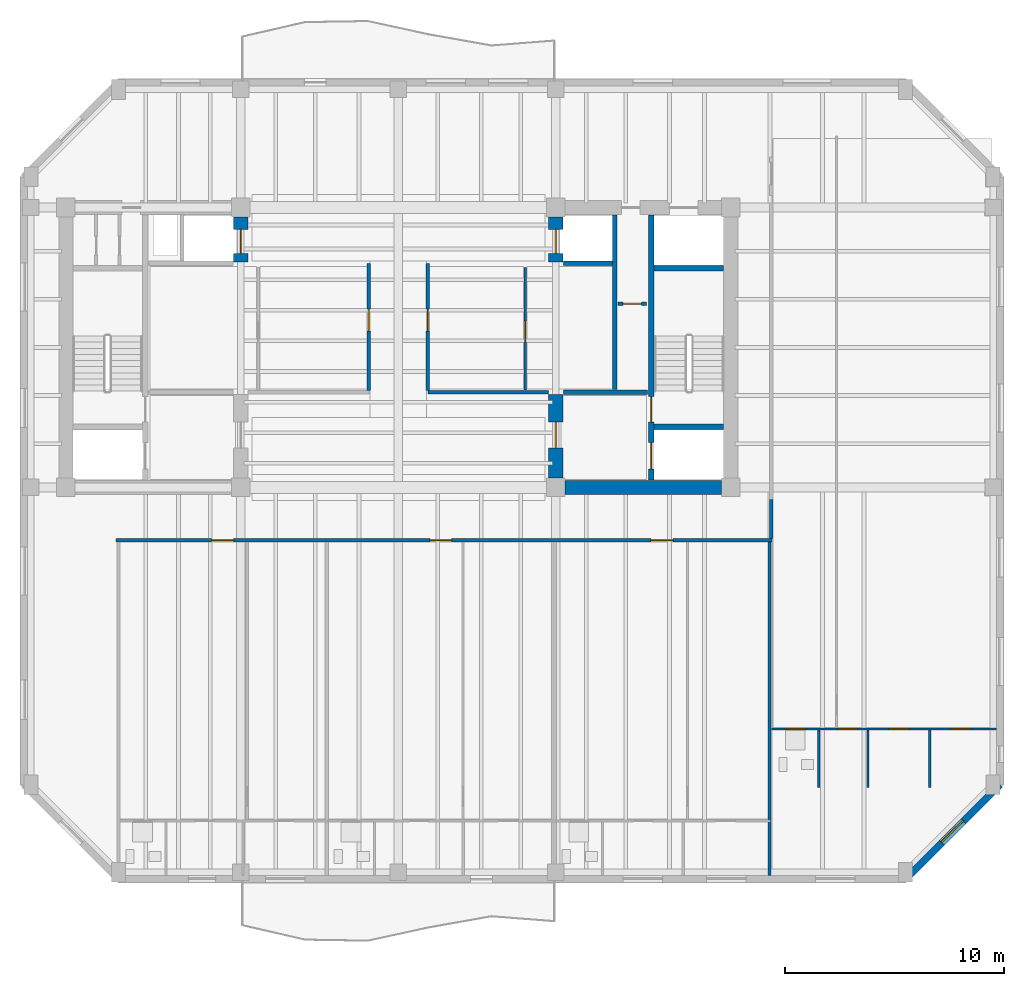
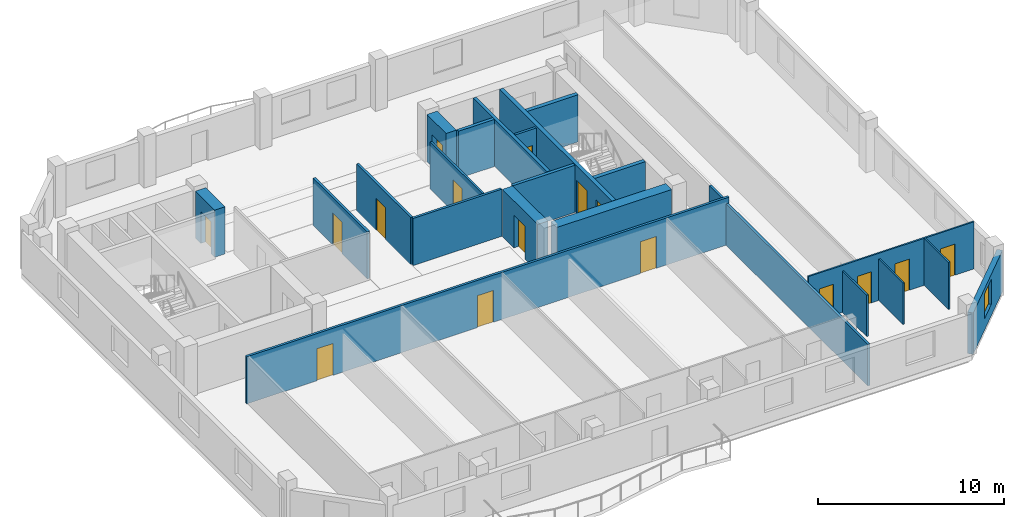
# One storey, part 4 of 9: 23 walls, 16 doors, 1 window, 17 openings.
"""IFC4 building model written with IfcOpenShell, lengths in metres."""

from ifc_helpers import new_model, si_unit, direction, frame, frame_2d, origin, place, context, subcontext, project, spatial, rectangle, extrude, material, layer, layer_set, type_object, element, fill, save


model = new_model("IFC4")

# Units and contexts
model_context = context("Model", 3, precision=1e-05, world=origin(), true_north=direction((0.0, 1.0)))
body_context = subcontext(model_context, "Body", "Model", "MODEL_VIEW")
ifc_project = project(units=[si_unit("LENGTHUNIT", "METRE"), si_unit("AREAUNIT", "SQUARE_METRE"), si_unit("VOLUMEUNIT", "CUBIC_METRE"), si_unit("PLANEANGLEUNIT", "RADIAN"), si_unit("MASSUNIT", "GRAM", prefix="KILO")], contexts=[model_context])

# Site, building, storey
site_placement = place(None, origin())
site = spatial("IfcSite", under=ifc_project, at=site_placement, CompositionType="ELEMENT")
building_placement = place(site_placement, origin())
building = spatial("IfcBuilding", under=site, at=building_placement, Name="Kranthara Brick Stack", CompositionType="ELEMENT")
storey_placement = place(building_placement, frame((0.0, 0.0, 231.300048828125)))
storey = spatial("IfcBuildingStorey", under=building, at=storey_placement, Name="L60", CompositionType="ELEMENT", Elevation=231.300048828125)

# Wall, opening, window
ifc_material_1 = material(Name="Warm buff clay brick masonry M15", Category="masonry")
ifc_layer_1 = layer(ifc_material_1, 0.320068359375)
ifc_layer_set_1 = layer_set([ifc_layer_1], Name="Warm buff clay brick masonry M15")
wall_type_1 = type_object("IfcWallType", Name="WL-BRK-UPPR-320", PredefinedType="STANDARD", material=ifc_layer_set_1)
wall_1_placement = place(storey_placement, frame((55.52001953125, 7.199951171875, 0.0), z_axis=(0.0, 0.0, 1.0), x_axis=(-0.707106781187, -0.707106781187, 0.0)))
wall_1 = element("IfcWall", 1, at=wall_1_placement, inside=storey, type_object=wall_type_1, Name="L60 Exterior Brick Facade Wall SE 1", PredefinedType="STANDARD", context=body_context, shape_type="SweptSolid", body=[
    extrude(rectangle(XDim=6.109619140625, YDim=0.320068359375, at=frame_2d((3.0546875, 0.0))), origin(), (0.0, 0.0, 1.0), 2.724853515625),
])
opening_1_placement = place(wall_1_placement, frame((2.35498046875, 0.0, 0.75)))
opening_1 = element("IfcOpeningElement", 2, at=opening_1_placement, cuts=wall_1, Name="Opening WN10", PredefinedType="OPENING", context=body_context, shape_type="SweptSolid", body=[
    extrude(rectangle(XDim=1.39990234375, YDim=1.64990234375, at=frame_2d((0.699951171875, 0.824951171875))), frame((0.0, 0.169921875, 0.0), z_axis=(0.0, -1.0, 0.0), x_axis=(1.0, 0.0, 0.0)), (0.0, 0.0, 1.0), 0.340087890625),
])
ifc_material_2 = material(Name="Double-glazed low-E solar control glass", Category="glass")
window_type = type_object("IfcWindowType", Name="WN-CHM-1400x1750", PartitioningType="SINGLE_PANEL", PredefinedType="WINDOW", material=ifc_material_2)
window_placement = place(opening_1_placement, origin())
window = element("IfcWindow", 3, at=window_placement, inside=storey, type_object=window_type, Name="L60 SE Chamfer Corner Window", OverallHeight=1.64990234375, OverallWidth=1.39990234375, PartitioningType="SINGLE_PANEL", PredefinedType="WINDOW", context=body_context, shape_type="SweptSolid", body=[
    extrude(rectangle(XDim=1.39990234375, YDim=1.64990234375, at=frame_2d((0.699951171875, 0.824951171875))), frame((0.0, -0.010009765625, 0.0), z_axis=(0.0, -1.0, 0.0), x_axis=(1.0, 0.0, 0.0)), (0.0, 0.0, 1.0), 0.06005859375),
])
fill(opening_1, window)

# Wall, openings, doors
ifc_material_3 = material(Name="Concrete C50/60", Category="concrete")
ifc_layer_2 = layer(ifc_material_3, 0.25)
ifc_layer_set_2 = layer_set([ifc_layer_2], Name="Concrete C50/60")
wall_type_2 = type_object("IfcWallType", Name="WL-CORE-250", PredefinedType="SHEAR", material=ifc_layer_set_2)
wall_2_placement = place(storey_placement, frame((39.56494140625, 21.135009765625, 0.0), z_axis=(0.0, 0.0, 1.0), x_axis=(0.0, 1.0, 0.0)))
wall_2 = element("IfcWall", 4, at=wall_2_placement, inside=storey, type_object=wall_type_2, Name="L60 East Core Stair Bearing Spine Wall", PredefinedType="SHEAR", context=body_context, shape_type="SweptSolid", body=[
    extrude(rectangle(XDim=12.1298828125, YDim=0.25, at=frame_2d((6.06494140625, 0.0))), origin(), (0.0, 0.0, 1.0), 3.099853515625),
])
opening_2_placement = place(wall_2_placement, frame((0.514892578125, 0.0, 0.0)))
opening_2 = element("IfcOpeningElement", 5, at=opening_2_placement, cuts=wall_2, Name="Opening LD01", PredefinedType="OPENING", context=body_context, shape_type="SweptSolid", body=[
    extrude(rectangle(XDim=1.199951171875, YDim=2.14990234375, at=frame_2d((0.60009765625, 1.074951171875))), frame((0.0, 0.135009765625, 0.0), z_axis=(0.0, -1.0, 0.0), x_axis=(1.0, 0.0, 0.0)), (0.0, 0.0, 1.0), 0.27001953125),
])
opening_3_placement = place(wall_2_placement, frame((2.6650390625, 0.0, 0.0)))
opening_3 = element("IfcOpeningElement", 6, at=opening_3_placement, cuts=wall_2, Name="Opening D05", PredefinedType="OPENING", context=body_context, shape_type="SweptSolid", body=[
    extrude(rectangle(XDim=1.14990234375, YDim=2.14990234375, at=frame_2d((0.574951171875, 1.074951171875))), frame((0.0, 0.135009765625, 0.0), z_axis=(0.0, -1.0, 0.0), x_axis=(1.0, 0.0, 0.0)), (0.0, 0.0, 1.0), 0.27001953125),
])
ifc_material_4 = material(Name="Stainless steel sliding landing door", Category="steel")
door_type_1 = type_object("IfcDoorType", Name="DR-LD-FF1200", OperationType="DOUBLE_DOOR_SLIDING", PredefinedType="DOOR", material=ifc_material_4)
door_1_placement = place(opening_2_placement, origin())
door_1 = element("IfcDoor", 7, at=door_1_placement, inside=storey, type_object=door_type_1, Name="L60 Firefighting Lift FF-02 Landing Door", OperationType="DOUBLE_DOOR_SLIDING", OverallHeight=2.14990234375, OverallWidth=1.199951171875, PredefinedType="DOOR", context=body_context, shape_type="SweptSolid", body=[
    extrude(rectangle(XDim=1.199951171875, YDim=2.14990234375, at=frame_2d((0.60009765625, 1.074951171875))), frame((0.0, 0.02490234375, 0.0), z_axis=(0.0, -1.0, 0.0), x_axis=(1.0, 0.0, 0.0)), (0.0, 0.0, 1.0), 0.050048828125),
])
fill(opening_2, door_1)
ifc_material_5 = material(Name="Solid-core hardwood timber leaf in steel frame", Category="steel")
door_type_2 = type_object("IfcDoorType", Name="DR-ST-1150", OperationType="NOTDEFINED", PredefinedType="DOOR", material=ifc_material_5)
door_2_placement = place(opening_3_placement, origin())
door_2 = element("IfcDoor", 8, at=door_2_placement, inside=storey, type_object=door_type_2, Name="L60 Exit Stair ST02 Door", OperationType="SINGLE_SWING_LEFT", OverallHeight=2.14990234375, OverallWidth=1.14990234375, PredefinedType="DOOR", context=body_context, shape_type="SweptSolid", body=[
    extrude(rectangle(XDim=1.14990234375, YDim=2.14990234375, at=frame_2d((0.574951171875, 1.074951171875))), frame((0.0, 0.02490234375, 0.0), z_axis=(0.0, -1.0, 0.0), x_axis=(1.0, 0.0, 0.0)), (0.0, 0.0, 1.0), 0.050048828125),
])
fill(opening_3, door_2)

# Walls
for number, where, z_axis, x_axis, name in (
    (9, (39.68994140625, 23.570068359375, 0.0), (0.0, 0.0, 1.0), (1.0, 0.0, 0.0), "L60 East Stairwell Bearing Wall EFF"),
    (10, (39.68994140625, 30.830078125, 0.0), (0.0, 0.0, 1.0), (1.0, 0.0, 0.0), "L60 East Stairwell Bearing Wall EST"),
):
    element("IfcWall", number, at=place(storey_placement, frame(where, z_axis=z_axis, x_axis=x_axis)), inside=storey, type_object=wall_type_2, Name=name, PredefinedType="SHEAR", context=body_context, shape_type="SweptSolid", body=[
        extrude(rectangle(XDim=3.175048828125, YDim=0.25, at=frame_2d((1.58740234375, 0.0))), origin(), (0.0, 0.0, 1.0), 3.099853515625),
    ])

# Wall, opening, door
ifc_material_6 = material(Name="Concrete C60/75", Category="concrete")
ifc_layer_3 = layer(ifc_material_6, 0.64990234375)
ifc_layer_set_3 = layer_set([ifc_layer_3], Name="Concrete C60/75")
wall_type_3 = type_object("IfcWallType", Name="WL-CORE-650", PredefinedType="SHEAR", material=ifc_layer_set_3)
wall_3_placement = place(storey_placement, frame((20.800048828125, 31.10009765625, 0.0), z_axis=(0.0, 0.0, 1.0), x_axis=(0.0, 1.0, 0.0)))
wall_3 = element("IfcWall", 11, at=wall_3_placement, inside=storey, type_object=wall_type_3, Name="L60 West Core High-Rise Lift Wall", PredefinedType="SHEAR", context=body_context, shape_type="SweptSolid", body=[
    extrude(rectangle(XDim=2.06982421875, YDim=0.64990234375, at=frame_2d((1.034912109375, 0.0))), origin(), (0.0, 0.0, 1.0), 3.099853515625),
])
opening_4_placement = place(wall_3_placement, frame((0.39990234375, 0.0, 0.0)))
opening_4 = element("IfcOpeningElement", 12, at=opening_4_placement, cuts=wall_3, Name="Opening LD02", PredefinedType="OPENING", context=body_context, shape_type="SweptSolid", body=[
    extrude(rectangle(XDim=1.10009765625, YDim=2.10009765625, at=frame_2d((0.550048828125, 1.050048828125))), frame((0.0, 0.3349609375, 0.0), z_axis=(0.0, -1.0, 0.0), x_axis=(1.0, 0.0, 0.0)), (0.0, 0.0, 1.0), 0.669921875),
])
ifc_material_7 = material(Name="Stainless steel sliding landing door", Category="steel")
door_type_3 = type_object("IfcDoorType", Name="DR-LD-PL1100", OperationType="DOUBLE_DOOR_SLIDING", PredefinedType="DOOR", material=ifc_material_7)
door_3_placement = place(opening_4_placement, origin())
door_3 = element("IfcDoor", 13, at=door_3_placement, inside=storey, type_object=door_type_3, Name="L60 PL-07 Lift Landing Door", OperationType="DOUBLE_DOOR_SLIDING", OverallHeight=2.10009765625, OverallWidth=1.10009765625, PredefinedType="DOOR", context=body_context, shape_type="SweptSolid", body=[
    extrude(rectangle(XDim=1.10009765625, YDim=2.10009765625, at=frame_2d((0.550048828125, 1.050048828125))), frame((0.0, 0.02490234375, 0.0), z_axis=(0.0, -1.0, 0.0), x_axis=(1.0, 0.0, 0.0)), (0.0, 0.0, 1.0), 0.050048828125),
])
fill(opening_4, door_3)

# Wall
wall_4_placement = place(storey_placement, frame((35.6298828125, 20.800048828125, 0.0), z_axis=(0.0, 0.0, 1.0), x_axis=(1.0, 0.0, 0.0)))
element("IfcWall", 14, at=wall_4_placement, inside=storey, type_object=wall_type_3, Name="L60 East Core Shear Wall South", PredefinedType="SHEAR", context=body_context, shape_type="SweptSolid", body=[
    extrude(rectangle(XDim=7.14013671875, YDim=0.64990234375, at=frame_2d((3.570068359375, 0.0))), origin(), (0.0, 0.0, 1.0), 3.099853515625),
])

# Wall, opening, door
wall_5_placement = place(storey_placement, frame((35.199951171875, 21.22998046875, 0.0), z_axis=(0.0, 0.0, 1.0), x_axis=(0.0, 1.0, 0.0)))
wall_5 = element("IfcWall", 15, at=wall_5_placement, inside=storey, type_object=wall_type_3, Name="L60 East Core Lobby Shear Wall", PredefinedType="SHEAR", context=body_context, shape_type="SweptSolid", body=[
    extrude(rectangle(XDim=3.820068359375, YDim=0.64990234375, at=frame_2d((1.91015625, 0.0))), origin(), (0.0, 0.0, 1.0), 3.099853515625),
])
opening_5_placement = place(wall_5_placement, frame((1.3701171875, 0.0, 0.0)))
opening_5 = element("IfcOpeningElement", 16, at=opening_5_placement, cuts=wall_5, Name="Opening D06", PredefinedType="OPENING", context=body_context, shape_type="SweptSolid", body=[
    extrude(rectangle(XDim=1.199951171875, YDim=2.14990234375, at=frame_2d((0.60009765625, 1.074951171875))), frame((0.0, 0.3349609375, 0.0), z_axis=(0.0, -1.0, 0.0), x_axis=(1.0, 0.0, 0.0)), (0.0, 0.0, 1.0), 0.669921875),
])
ifc_material_8 = material(Name="Solid-core hardwood timber leaf in steel frame", Category="steel")
door_type_4 = type_object("IfcDoorType", Name="DR-FFL-1200", OperationType="NOTDEFINED", PredefinedType="DOOR", material=ifc_material_8)
door_4_placement = place(opening_5_placement, origin())
door_4 = element("IfcDoor", 17, at=door_4_placement, inside=storey, type_object=door_type_4, Name="L60 East Firefighting Lobby Door", OperationType="SINGLE_SWING_RIGHT", OverallHeight=2.14990234375, OverallWidth=1.199951171875, PredefinedType="DOOR", context=body_context, shape_type="SweptSolid", body=[
    extrude(rectangle(XDim=1.199951171875, YDim=2.14990234375, at=frame_2d((0.60009765625, 1.074951171875))), frame((0.0, 0.02490234375, 0.0), z_axis=(0.0, -1.0, 0.0), x_axis=(1.0, 0.0, 0.0)), (0.0, 0.0, 1.0), 0.050048828125),
])
fill(opening_5, door_4)

wall_6_placement = place(storey_placement, frame((35.199951171875, 31.10009765625, 0.0), z_axis=(0.0, 0.0, 1.0), x_axis=(0.0, 1.0, 0.0)))
wall_6 = element("IfcWall", 18, at=wall_6_placement, inside=storey, type_object=wall_type_3, Name="L60 East Core High-Rise Lift Wall", PredefinedType="SHEAR", context=body_context, shape_type="SweptSolid", body=[
    extrude(rectangle(XDim=2.06982421875, YDim=0.64990234375, at=frame_2d((1.034912109375, 0.0))), origin(), (0.0, 0.0, 1.0), 3.099853515625),
])
opening_6_placement = place(wall_6_placement, frame((0.39990234375, 0.0, 0.0)))
opening_6 = element("IfcOpeningElement", 19, at=opening_6_placement, cuts=wall_6, Name="Opening LD02", PredefinedType="OPENING", context=body_context, shape_type="SweptSolid", body=[
    extrude(rectangle(XDim=1.10009765625, YDim=2.10009765625, at=frame_2d((0.550048828125, 1.050048828125))), frame((0.0, 0.3349609375, 0.0), z_axis=(0.0, -1.0, 0.0), x_axis=(1.0, 0.0, 0.0)), (0.0, 0.0, 1.0), 0.669921875),
])
door_5_placement = place(opening_6_placement, origin())
door_5 = element("IfcDoor", 20, at=door_5_placement, inside=storey, type_object=door_type_3, Name="L60 PL-08 Lift Landing Door", OperationType="DOUBLE_DOOR_SLIDING", OverallHeight=2.10009765625, OverallWidth=1.10009765625, PredefinedType="DOOR", context=body_context, shape_type="SweptSolid", body=[
    extrude(rectangle(XDim=1.10009765625, YDim=2.10009765625, at=frame_2d((0.550048828125, 1.050048828125))), frame((0.0, 0.02490234375, 0.0), z_axis=(0.0, -1.0, 0.0), x_axis=(1.0, 0.0, 0.0)), (0.0, 0.0, 1.0), 0.050048828125),
])
fill(opening_6, door_5)

# Wall, openings, doors
ifc_material_9 = material(Name="Moisture-resistant wet-room partition", Category="other")
ifc_layer_4 = layer(ifc_material_9, 0.10009765625)
ifc_layer_set_4 = layer_set([ifc_layer_4], Name="Moisture-resistant wet-room partition")
wall_type_4 = type_object("IfcWallType", Name="WL-PART-100", PredefinedType="PARTITIONING", material=ifc_layer_set_4)
wall_7_placement = place(storey_placement, frame((45.06005859375, 9.75, 0.0), z_axis=(0.0, 0.0, 1.0), x_axis=(1.0, 0.0, 0.0)))
wall_7 = element("IfcWall", 21, at=wall_7_placement, inside=storey, type_object=wall_type_4, Name="L60 Interior Partition 032", PredefinedType="PARTITIONING", context=body_context, shape_type="SweptSolid", body=[
    extrude(rectangle(XDim=10.294921875, YDim=0.10009765625, at=frame_2d((5.1474609375, 0.0))), origin(), (0.0, 0.0, 1.0), 3.099853515625),
])
opening_7_placement = place(wall_7_placement, frame((0.697021484375, 0.0, 0.0)))
opening_7 = element("IfcOpeningElement", 22, at=opening_7_placement, cuts=wall_7, Name="Opening D17", PredefinedType="OPENING", context=body_context, shape_type="SweptSolid", body=[
    extrude(rectangle(XDim=0.85009765625, YDim=2.050048828125, at=frame_2d((0.425048828125, 1.02490234375))), frame((0.0, 0.06005859375, 0.0), z_axis=(0.0, -1.0, 0.0), x_axis=(1.0, 0.0, 0.0)), (0.0, 0.0, 1.0), 0.1201171875),
])
opening_8_placement = place(wall_7_placement, frame((3.068115234375, 0.0, 0.0)))
opening_8 = element("IfcOpeningElement", 23, at=opening_8_placement, cuts=wall_7, Name="Opening D16", PredefinedType="OPENING", context=body_context, shape_type="SweptSolid", body=[
    extrude(rectangle(XDim=0.85009765625, YDim=2.050048828125, at=frame_2d((0.425048828125, 1.02490234375))), frame((0.0, 0.06005859375, 0.0), z_axis=(0.0, -1.0, 0.0), x_axis=(1.0, 0.0, 0.0)), (0.0, 0.0, 1.0), 0.1201171875),
])
opening_9_placement = place(wall_7_placement, frame((5.384033203125, 0.0, 0.0)))
opening_9 = element("IfcOpeningElement", 24, at=opening_9_placement, cuts=wall_7, Name="Opening D15", PredefinedType="OPENING", context=body_context, shape_type="SweptSolid", body=[
    extrude(rectangle(XDim=0.89990234375, YDim=2.050048828125, at=frame_2d((0.449951171875, 1.02490234375))), frame((0.0, 0.06005859375, 0.0), z_axis=(0.0, -1.0, 0.0), x_axis=(1.0, 0.0, 0.0)), (0.0, 0.0, 1.0), 0.1201171875),
])
opening_10_placement = place(wall_7_placement, frame((8.2080078125, 0.0, 0.0)))
opening_10 = element("IfcOpeningElement", 25, at=opening_10_placement, cuts=wall_7, Name="Opening D15", PredefinedType="OPENING", context=body_context, shape_type="SweptSolid", body=[
    extrude(rectangle(XDim=0.89990234375, YDim=2.050048828125, at=frame_2d((0.449951171875, 1.02490234375))), frame((0.0, 0.06005859375, 0.0), z_axis=(0.0, -1.0, 0.0), x_axis=(1.0, 0.0, 0.0)), (0.0, 0.0, 1.0), 0.1201171875),
])
ifc_material_10 = material(Name="Solid-core hardwood timber leaf in steel frame", Category="steel")
door_type_5 = type_object("IfcDoorType", Name="DR-INT-850", OperationType="NOTDEFINED", PredefinedType="DOOR", material=ifc_material_10)
door_6_placement = place(opening_8_placement, origin())
door_6 = element("IfcDoor", 26, at=door_6_placement, inside=storey, type_object=door_type_5, Name="L60 Unit L60D Kitchen 26", OperationType="SINGLE_SWING_RIGHT", OverallHeight=2.050048828125, OverallWidth=0.85009765625, PredefinedType="DOOR", context=body_context, shape_type="SweptSolid", body=[
    extrude(rectangle(XDim=0.85009765625, YDim=2.050048828125, at=frame_2d((0.425048828125, 1.02490234375))), frame((0.0, 0.02490234375, 0.0), z_axis=(0.0, -1.0, 0.0), x_axis=(1.0, 0.0, 0.0)), (0.0, 0.0, 1.0), 0.050048828125),
])
fill(opening_8, door_6)
ifc_material_11 = material(Name="Solid-core hardwood timber leaf in steel frame", Category="steel")
door_type_6 = type_object("IfcDoorType", Name="DR-INT-900", OperationType="NOTDEFINED", PredefinedType="DOOR", material=ifc_material_11)
door_7_placement = place(opening_9_placement, origin())
door_7 = element("IfcDoor", 27, at=door_7_placement, inside=storey, type_object=door_type_6, Name="L60 Unit L60D Master Bedroom 27", OperationType="SINGLE_SWING_LEFT", OverallHeight=2.050048828125, OverallWidth=0.89990234375, PredefinedType="DOOR", context=body_context, shape_type="SweptSolid", body=[
    extrude(rectangle(XDim=0.89990234375, YDim=2.050048828125, at=frame_2d((0.449951171875, 1.02490234375))), frame((0.0, 0.02490234375, 0.0), z_axis=(0.0, -1.0, 0.0), x_axis=(1.0, 0.0, 0.0)), (0.0, 0.0, 1.0), 0.050048828125),
])
fill(opening_9, door_7)
door_8_placement = place(opening_10_placement, origin())
door_8 = element("IfcDoor", 28, at=door_8_placement, inside=storey, type_object=door_type_6, Name="L60 Unit L60D Bedroom 2 28", OperationType="SINGLE_SWING_RIGHT", OverallHeight=2.050048828125, OverallWidth=0.89990234375, PredefinedType="DOOR", context=body_context, shape_type="SweptSolid", body=[
    extrude(rectangle(XDim=0.89990234375, YDim=2.050048828125, at=frame_2d((0.449951171875, 1.02490234375))), frame((0.0, 0.02490234375, 0.0), z_axis=(0.0, -1.0, 0.0), x_axis=(1.0, 0.0, 0.0)), (0.0, 0.0, 1.0), 0.050048828125),
])
fill(opening_10, door_8)
ifc_material_12 = material(Name="Solid-core hardwood timber leaf in steel frame", Category="steel")
door_type_7 = type_object("IfcDoorType", Name="DR-WET-850", OperationType="NOTDEFINED", PredefinedType="DOOR", material=ifc_material_12)
door_9_placement = place(opening_7_placement, origin())
door_9 = element("IfcDoor", 29, at=door_9_placement, inside=storey, type_object=door_type_7, Name="L60 Unit L60D Bathroom 25", OperationType="SINGLE_SWING_LEFT", OverallHeight=2.050048828125, OverallWidth=0.85009765625, PredefinedType="DOOR", context=body_context, shape_type="SweptSolid", body=[
    extrude(rectangle(XDim=0.85009765625, YDim=2.050048828125, at=frame_2d((0.425048828125, 1.02490234375))), frame((0.0, 0.02490234375, 0.0), z_axis=(0.0, -1.0, 0.0), x_axis=(1.0, 0.0, 0.0)), (0.0, 0.0, 1.0), 0.050048828125),
])
fill(opening_7, door_9)

# Walls
for number, where, z_axis, x_axis, name in (
    (30, (47.22412109375, 7.080078125, 0.0), (0.0, 0.0, 1.0), (0.0, 1.0, 0.0), "L60 Interior Partition 034"),
    (31, (49.48193359375, 7.080078125, 0.0), (0.0, 0.0, 1.0), (0.0, 1.0, 0.0), "L60 Interior Partition 035"),
):
    element("IfcWall", number, at=place(storey_placement, frame(where, z_axis=z_axis, x_axis=x_axis)), inside=storey, type_object=wall_type_4, Name=name, PredefinedType="PARTITIONING", context=body_context, shape_type="SweptSolid", body=[
        extrude(rectangle(XDim=2.614990234375, YDim=0.10009765625, at=frame_2d((1.3076171875, 0.0))), origin(), (0.0, 0.0, 1.0), 2.724853515625),
    ])
wall_8_placement = place(storey_placement, frame((52.305908203125, 7.080078125, 0.0), z_axis=(0.0, 0.0, 1.0), x_axis=(0.0, 1.0, 0.0)))
element("IfcWall", 32, at=wall_8_placement, inside=storey, type_object=wall_type_4, Name="L60 Interior Partition 036", PredefinedType="PARTITIONING", context=body_context, shape_type="SweptSolid", body=[
    extrude(rectangle(XDim=2.614990234375, YDim=0.10009765625, at=frame_2d((1.3076171875, 0.0))), origin(), (0.0, 0.0, 1.0), 3.099853515625),
])

# Wall, opening, door
ifc_material_13 = material(Name="Acoustic gypsum plasterboard partition", Category="other")
ifc_layer_5 = layer(ifc_material_13, 0.1201171875)
ifc_layer_set_5 = layer_set([ifc_layer_5], Name="Acoustic gypsum plasterboard partition")
wall_type_5 = type_object("IfcWallType", Name="WL-PART-120", PredefinedType="PARTITIONING", material=ifc_layer_set_5)
wall_9_placement = place(storey_placement, frame((33.800048828125, 25.25, 0.0), z_axis=(0.0, 0.0, 1.0), x_axis=(0.0, 1.0, 0.0)))
wall_9 = element("IfcWall", 33, at=wall_9_placement, inside=storey, type_object=wall_type_5, Name="L60 Interior Partition 009", PredefinedType="PARTITIONING", context=body_context, shape_type="SweptSolid", body=[
    extrude(rectangle(XDim=5.60009765625, YDim=0.1201171875, at=frame_2d((2.800048828125, 0.0))), origin(), (0.0, 0.0, 1.0), 3.099853515625),
])
opening_11_placement = place(wall_9_placement, frame((2.199951171875, 0.0, 0.0)))
opening_11 = element("IfcOpeningElement", 34, at=opening_11_placement, cuts=wall_9, Name="Opening D14", PredefinedType="OPENING", context=body_context, shape_type="SweptSolid", body=[
    extrude(rectangle(XDim=0.949951171875, YDim=2.10009765625, at=frame_2d((0.47509765625, 1.050048828125))), frame((0.0, 0.070068359375, 0.0), z_axis=(0.0, -1.0, 0.0), x_axis=(1.0, 0.0, 0.0)), (0.0, 0.0, 1.0), 0.14013671875),
])
ifc_material_14 = material(Name="Solid-core hardwood timber leaf in steel frame", Category="steel")
door_type_8 = type_object("IfcDoorType", Name="DR-INT-950", OperationType="NOTDEFINED", PredefinedType="DOOR", material=ifc_material_14)
door_10_placement = place(opening_11_placement, origin())
door_10 = element("IfcDoor", 35, at=door_10_placement, inside=storey, type_object=door_type_8, Name="L60 Wine Tasting Door 06", OperationType="SINGLE_SWING_RIGHT", OverallHeight=2.10009765625, OverallWidth=0.949951171875, PredefinedType="DOOR", context=body_context, shape_type="SweptSolid", body=[
    extrude(rectangle(XDim=0.949951171875, YDim=2.10009765625, at=frame_2d((0.47509765625, 1.050048828125))), frame((0.0, 0.02490234375, 0.0), z_axis=(0.0, -1.0, 0.0), x_axis=(1.0, 0.0, 0.0)), (0.0, 0.0, 1.0), 0.050048828125),
])
fill(opening_11, door_10)

ifc_material_15 = material(Name="Fire-rated gypsum board partition", Category="other")
ifc_layer_6 = layer(ifc_material_15, 0.14990234375)
ifc_layer_set_6 = layer_set([ifc_layer_6], Name="Fire-rated gypsum board partition")
wall_type_6 = type_object("IfcWallType", Name="WL-PART-150", PredefinedType="PARTITIONING", material=ifc_layer_set_6)
wall_10_placement = place(storey_placement, frame((38.050048828125, 29.199951171875, 0.0), z_axis=(0.0, 0.0, 1.0), x_axis=(1.0, 0.0, 0.0)))
wall_10 = element("IfcWall", 36, at=wall_10_placement, inside=storey, type_object=wall_type_6, Name="L60 Interior Partition 003", PredefinedType="PARTITIONING", context=body_context, shape_type="SweptSolid", body=[
    extrude(rectangle(XDim=1.300048828125, YDim=0.14990234375, at=frame_2d((0.64990234375, 0.0))), origin(), (0.0, 0.0, 1.0), 3.099853515625),
])
opening_12_placement = place(wall_10_placement, frame((0.219970703125, 0.0, 0.0)))
opening_12 = element("IfcOpeningElement", 37, at=opening_12_placement, cuts=wall_10, Name="Opening D10", PredefinedType="OPENING", context=body_context, shape_type="SweptSolid", body=[
    extrude(rectangle(XDim=0.85009765625, YDim=2.02001953125, at=frame_2d((0.425048828125, 1.010009765625))), frame((0.0, 0.0849609375, 0.0), z_axis=(0.0, -1.0, 0.0), x_axis=(1.0, 0.0, 0.0)), (0.0, 0.0, 1.0), 0.169921875),
])
ifc_material_16 = material(Name="Solid-core hardwood timber leaf in steel frame", Category="steel")
door_type_9 = type_object("IfcDoorType", Name="DR-RSR-850", OperationType="NOTDEFINED", PredefinedType="DOOR", material=ifc_material_16)
door_11_placement = place(opening_12_placement, origin())
door_11 = element("IfcDoor", 38, at=door_11_placement, inside=storey, type_object=door_type_9, Name="L60 East Service Door 03", OperationType="SINGLE_SWING_LEFT", OverallHeight=2.02001953125, OverallWidth=0.85009765625, PredefinedType="DOOR", context=body_context, shape_type="SweptSolid", body=[
    extrude(rectangle(XDim=0.85009765625, YDim=2.02001953125, at=frame_2d((0.425048828125, 1.010009765625))), frame((0.0, 0.02490234375, 0.0), z_axis=(0.0, -1.0, 0.0), x_axis=(1.0, 0.0, 0.0)), (0.0, 0.0, 1.0), 0.050048828125),
])
fill(opening_12, door_11)

# Wall
wall_11_placement = place(storey_placement, frame((29.35009765625, 25.14990234375, 0.0), z_axis=(0.0, 0.0, 1.0), x_axis=(1.0, 0.0, 0.0)))
element("IfcWall", 39, at=wall_11_placement, inside=storey, type_object=wall_type_6, Name="L60 Interior Partition 005", PredefinedType="PARTITIONING", context=body_context, shape_type="SweptSolid", body=[
    extrude(rectangle(XDim=5.52001953125, YDim=0.14990234375, at=frame_2d((2.760009765625, 0.0))), origin(), (0.0, 0.0, 1.0), 3.099853515625),
])

# Wall, opening, door
wall_12_placement = place(storey_placement, frame((26.64990234375, 25.22998046875, 0.0), z_axis=(0.0, 0.0, 1.0), x_axis=(0.0, 1.0, 0.0)))
wall_12 = element("IfcWall", 40, at=wall_12_placement, inside=storey, type_object=wall_type_6, Name="L60 Interior Partition 006", PredefinedType="PARTITIONING", context=body_context, shape_type="SweptSolid", body=[
    extrude(rectangle(XDim=5.820068359375, YDim=0.14990234375, at=frame_2d((2.91015625, 0.0))), origin(), (0.0, 0.0, 1.0), 3.099853515625),
])
opening_13_placement = place(wall_12_placement, frame((2.719970703125, 0.0, 0.0)))
opening_13 = element("IfcOpeningElement", 41, at=opening_13_placement, cuts=wall_12, Name="Opening D08", PredefinedType="OPENING", context=body_context, shape_type="SweptSolid", body=[
    extrude(rectangle(XDim=1.0, YDim=2.10009765625, at=frame_2d((0.5, 1.050048828125))), frame((0.0, 0.0849609375, 0.0), z_axis=(0.0, -1.0, 0.0), x_axis=(1.0, 0.0, 0.0)), (0.0, 0.0, 1.0), 0.169921875),
])
ifc_material_17 = material(Name="Solid-core hardwood timber leaf in steel frame", Category="steel")
door_type_10 = type_object("IfcDoorType", Name="DR-FD-1000", OperationType="NOTDEFINED", PredefinedType="DOOR", material=ifc_material_17)
door_12_placement = place(opening_13_placement, origin())
door_12 = element("IfcDoor", 42, at=door_12_placement, inside=storey, type_object=door_type_10, Name="L60 Residents Gallery 05", OperationType="SINGLE_SWING_LEFT", OverallHeight=2.10009765625, OverallWidth=1.0, PredefinedType="DOOR", context=body_context, shape_type="SweptSolid", body=[
    extrude(rectangle(XDim=1.0, YDim=2.10009765625, at=frame_2d((0.5, 1.050048828125))), frame((0.0, 0.02490234375, 0.0), z_axis=(0.0, -1.0, 0.0), x_axis=(1.0, 0.0, 0.0)), (0.0, 0.0, 1.0), 0.050048828125),
])
fill(opening_13, door_12)

wall_13_placement = place(storey_placement, frame((29.35009765625, 25.22998046875, 0.0), z_axis=(0.0, 0.0, 1.0), x_axis=(0.0, 1.0, 0.0)))
wall_13 = element("IfcWall", 43, at=wall_13_placement, inside=storey, type_object=wall_type_6, Name="L60 Interior Partition 008", PredefinedType="PARTITIONING", context=body_context, shape_type="SweptSolid", body=[
    extrude(rectangle(XDim=5.820068359375, YDim=0.14990234375, at=frame_2d((2.91015625, 0.0))), origin(), (0.0, 0.0, 1.0), 3.099853515625),
])
opening_14_placement = place(wall_13_placement, frame((2.719970703125, 0.0, 0.0)))
opening_14 = element("IfcOpeningElement", 44, at=opening_14_placement, cuts=wall_13, Name="Opening D08", PredefinedType="OPENING", context=body_context, shape_type="SweptSolid", body=[
    extrude(rectangle(XDim=1.0, YDim=2.10009765625, at=frame_2d((0.5, 1.050048828125))), frame((0.0, 0.0849609375, 0.0), z_axis=(0.0, -1.0, 0.0), x_axis=(1.0, 0.0, 0.0)), (0.0, 0.0, 1.0), 0.169921875),
])
door_13_placement = place(opening_14_placement, origin())
door_13 = element("IfcDoor", 45, at=door_13_placement, inside=storey, type_object=door_type_10, Name="L60 Sky Salon 07", OperationType="SINGLE_SWING_LEFT", OverallHeight=2.10009765625, OverallWidth=1.0, PredefinedType="DOOR", context=body_context, shape_type="SweptSolid", body=[
    extrude(rectangle(XDim=1.0, YDim=2.10009765625, at=frame_2d((0.5, 1.050048828125))), frame((0.0, 0.02490234375, 0.0), z_axis=(0.0, -1.0, 0.0), x_axis=(1.0, 0.0, 0.0)), (0.0, 0.0, 1.0), 0.050048828125),
])
fill(opening_14, door_13)

# Wall, openings, doors
wall_14_placement = place(storey_placement, frame((15.080078125, 18.3798828125, 0.0), z_axis=(0.0, 0.0, 1.0), x_axis=(1.0, 0.0, 0.0)))
wall_14 = element("IfcWall", 46, at=wall_14_placement, inside=storey, type_object=wall_type_6, Name="L60 Interior Partition 010", PredefinedType="PARTITIONING", context=body_context, shape_type="SweptSolid", body=[
    extrude(rectangle(XDim=30.02001953125, YDim=0.14990234375, at=frame_2d((15.010009765625, 0.0))), origin(), (0.0, 0.0, 1.0), 3.099853515625),
])
opening_15_placement = place(wall_14_placement, frame((4.385009765625, 0.0, 0.0)))
opening_15 = element("IfcOpeningElement", 47, at=opening_15_placement, cuts=wall_14, Name="Opening D08", PredefinedType="OPENING", context=body_context, shape_type="SweptSolid", body=[
    extrude(rectangle(XDim=1.0, YDim=2.10009765625, at=frame_2d((0.5, 1.050048828125))), frame((0.0, 0.0849609375, 0.0), z_axis=(0.0, -1.0, 0.0), x_axis=(1.0, 0.0, 0.0)), (0.0, 0.0, 1.0), 0.169921875),
])
opening_16_placement = place(wall_14_placement, frame((14.361083984375, 0.0, 0.0)))
opening_16 = element("IfcOpeningElement", 48, at=opening_16_placement, cuts=wall_14, Name="Opening D08", PredefinedType="OPENING", context=body_context, shape_type="SweptSolid", body=[
    extrude(rectangle(XDim=1.0, YDim=2.10009765625, at=frame_2d((0.5, 1.050048828125))), frame((0.0, 0.0849609375, 0.0), z_axis=(0.0, -1.0, 0.0), x_axis=(1.0, 0.0, 0.0)), (0.0, 0.0, 1.0), 0.169921875),
])
opening_17_placement = place(wall_14_placement, frame((24.486083984375, 0.0, 0.0)))
opening_17 = element("IfcOpeningElement", 49, at=opening_17_placement, cuts=wall_14, Name="Opening D08", PredefinedType="OPENING", context=body_context, shape_type="SweptSolid", body=[
    extrude(rectangle(XDim=1.0, YDim=2.10009765625, at=frame_2d((0.5, 1.050048828125))), frame((0.0, 0.0849609375, 0.0), z_axis=(0.0, -1.0, 0.0), x_axis=(1.0, 0.0, 0.0)), (0.0, 0.0, 1.0), 0.169921875),
])
door_14_placement = place(opening_15_placement, origin())
door_14 = element("IfcDoor", 50, at=door_14_placement, inside=storey, type_object=door_type_10, Name="L60 Unit L60A Entrance 08", OperationType="SINGLE_SWING_RIGHT", OverallHeight=2.10009765625, OverallWidth=1.0, PredefinedType="DOOR", context=body_context, shape_type="SweptSolid", body=[
    extrude(rectangle(XDim=1.0, YDim=2.10009765625, at=frame_2d((0.5, 1.050048828125))), frame((0.0, 0.02490234375, 0.0), z_axis=(0.0, -1.0, 0.0), x_axis=(1.0, 0.0, 0.0)), (0.0, 0.0, 1.0), 0.050048828125),
])
fill(opening_15, door_14)
door_15_placement = place(opening_16_placement, origin())
door_15 = element("IfcDoor", 51, at=door_15_placement, inside=storey, type_object=door_type_10, Name="L60 Unit L60B Entrance 13", OperationType="SINGLE_SWING_LEFT", OverallHeight=2.10009765625, OverallWidth=1.0, PredefinedType="DOOR", context=body_context, shape_type="SweptSolid", body=[
    extrude(rectangle(XDim=1.0, YDim=2.10009765625, at=frame_2d((0.5, 1.050048828125))), frame((0.0, 0.02490234375, 0.0), z_axis=(0.0, -1.0, 0.0), x_axis=(1.0, 0.0, 0.0)), (0.0, 0.0, 1.0), 0.050048828125),
])
fill(opening_16, door_15)
door_16_placement = place(opening_17_placement, origin())
door_16 = element("IfcDoor", 52, at=door_16_placement, inside=storey, type_object=door_type_10, Name="L60 Unit L60C Entrance 18", OperationType="SINGLE_SWING_RIGHT", OverallHeight=2.10009765625, OverallWidth=1.0, PredefinedType="DOOR", context=body_context, shape_type="SweptSolid", body=[
    extrude(rectangle(XDim=1.0, YDim=2.10009765625, at=frame_2d((0.5, 1.050048828125))), frame((0.0, 0.02490234375, 0.0), z_axis=(0.0, -1.0, 0.0), x_axis=(1.0, 0.0, 0.0)), (0.0, 0.0, 1.0), 0.050048828125),
])
fill(opening_17, door_16)

# Walls
wall_15_placement = place(storey_placement, frame((44.97998046875, 3.044921875, 0.0), z_axis=(0.0, 0.0, 1.0), x_axis=(0.0, 1.0, 0.0)))
element("IfcWall", 53, at=wall_15_placement, inside=storey, type_object=wall_type_6, Name="L60 Interior Partition 026", PredefinedType="PARTITIONING", context=body_context, shape_type="SweptSolid", body=[
    extrude(rectangle(XDim=15.255126953125, YDim=0.14990234375, at=frame_2d((7.62744140625, 0.0))), origin(), (0.0, 0.0, 1.0), 2.724853515625),
])
wall_16_placement = place(storey_placement, frame((45.050048828125, 18.4599609375, 0.0), z_axis=(0.0, 0.0, 1.0), x_axis=(0.0, 1.0, 0.0)))
element("IfcWall", 54, at=wall_16_placement, inside=storey, type_object=wall_type_6, Name="L60 Interior Partition 028", PredefinedType="PARTITIONING", context=body_context, shape_type="SweptSolid", body=[
    extrude(rectangle(XDim=1.7900390625, YDim=0.14990234375, at=frame_2d((0.89501953125, 0.0))), origin(), (0.0, 0.0, 1.0), 2.724853515625),
])
ifc_material_18 = material(Name="Concrete C40/50", Category="concrete")
ifc_layer_7 = layer(ifc_material_18, 0.199951171875)
ifc_layer_set_7 = layer_set([ifc_layer_7], Name="Concrete C40/50")
wall_type_7 = type_object("IfcWallType", Name="WL-PART-200", PredefinedType="SOLIDWALL", material=ifc_layer_set_7)
wall_17_placement = place(storey_placement, frame((35.550048828125, 25.14990234375, 0.0), z_axis=(0.0, 0.0, 1.0), x_axis=(1.0, 0.0, 0.0)))
element("IfcWall", 55, at=wall_17_placement, inside=storey, type_object=wall_type_7, Name="L60 East Core Cross Wall EFL", PredefinedType="SOLIDWALL", context=body_context, shape_type="SweptSolid", body=[
    extrude(rectangle(XDim=3.849853515625, YDim=0.199951171875, at=frame_2d((1.9248046875, 0.0))), origin(), (0.0, 0.0, 1.0), 3.099853515625),
])
wall_18_placement = place(storey_placement, frame((35.550048828125, 31.050048828125, 0.0), z_axis=(0.0, 0.0, 1.0), x_axis=(1.0, 0.0, 0.0)))
element("IfcWall", 56, at=wall_18_placement, inside=storey, type_object=wall_type_7, Name="L60 East Core Cross Wall EE4", PredefinedType="SOLIDWALL", context=body_context, shape_type="SweptSolid", body=[
    extrude(rectangle(XDim=2.25, YDim=0.199951171875, at=frame_2d((1.125, 0.0))), origin(), (0.0, 0.0, 1.0), 3.099853515625),
])
wall_19_placement = place(storey_placement, frame((37.89990234375, 25.27001953125, 0.0), z_axis=(0.0, 0.0, 1.0), x_axis=(0.0, 1.0, 0.0)))
element("IfcWall", 57, at=wall_19_placement, inside=storey, type_object=wall_type_7, Name="L60 East Core Cross Wall ESV", PredefinedType="SOLIDWALL", context=body_context, shape_type="SweptSolid", body=[
    extrude(rectangle(XDim=7.994873046875, YDim=0.199951171875, at=frame_2d((3.99755859375, 0.0))), origin(), (0.0, 0.0, 1.0), 3.099853515625),
])

save(model, "model.ifc")
